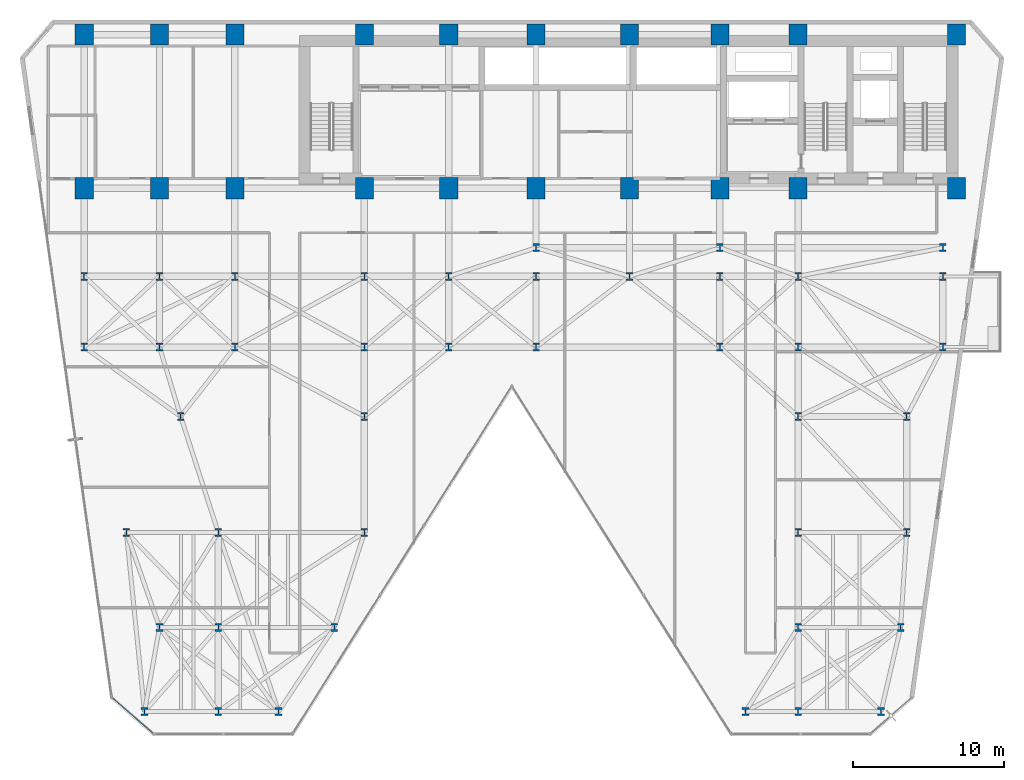
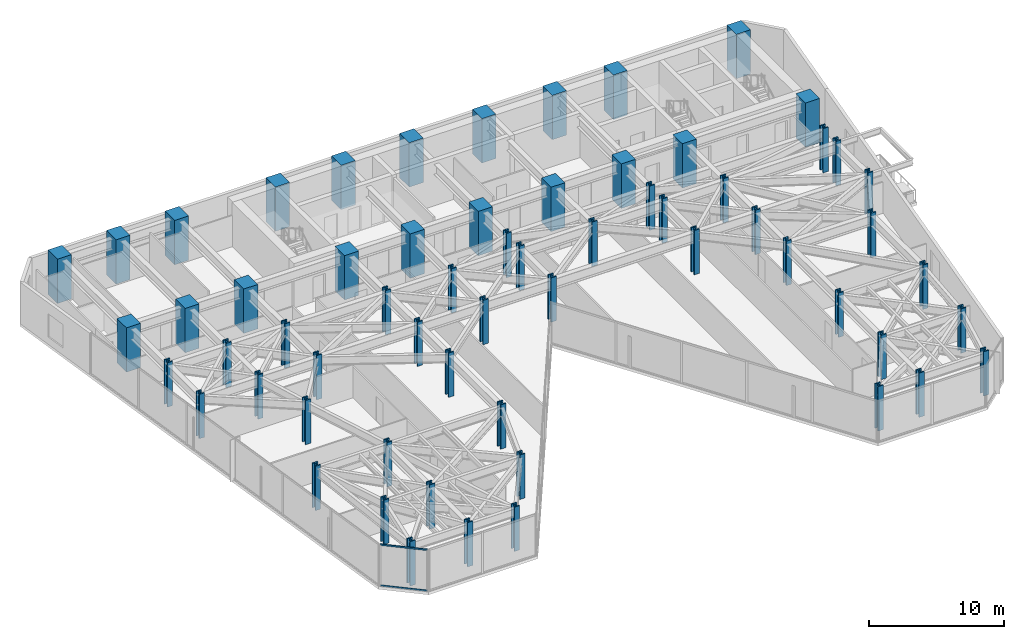
# One storey, part 1 of 25: 62 columns, 2 members, 1 element without a shape of its own.
"""IFC4 building model written with IfcOpenShell, lengths in metres."""

from ifc_helpers import new_model, si_unit, direction, frame, origin, origin_2d, place, context, subcontext, project, spatial, rectangle, hollow_rectangle, i_section, extrude, material, layer, layer_set, material_profile, profile_set, type_object, element, aggregate, save


model = new_model("IFC4")

# Units and contexts
model_context = context("Model", 3, precision=1e-05, world=origin(), true_north=direction((0.0, 1.0)))
body_context = subcontext(model_context, "Body", "Model", "MODEL_VIEW")
ifc_project = project(units=[si_unit("LENGTHUNIT", "METRE"), si_unit("AREAUNIT", "SQUARE_METRE"), si_unit("VOLUMEUNIT", "CUBIC_METRE"), si_unit("PLANEANGLEUNIT", "RADIAN"), si_unit("MASSUNIT", "GRAM", prefix="KILO")], contexts=[model_context])

# Site, building, storey
site_placement = place(None, origin())
site = spatial("IfcSite", under=ifc_project, at=site_placement, CompositionType="ELEMENT")
building_placement = place(site_placement, origin())
building = spatial("IfcBuilding", under=site, at=building_placement, Name="Kravanh Interchange Tower", CompositionType="ELEMENT")
storey_placement = place(building_placement, frame((0.0, 0.0, 57.5)))
storey = spatial("IfcBuildingStorey", under=building, at=storey_placement, Name="L13", CompositionType="ELEMENT", Elevation=57.5)

# Columns
ifc_material_1 = material(Name="Concrete C80/95", Category="concrete")
ifc_material_profile_1 = material_profile(ifc_material_1, rectangle(XDim=1.199951171875, YDim=1.39990234375, at=origin_2d()), Name="RC1200X1400")
ifc_profile_set_1 = profile_set([ifc_material_profile_1], Name="Concrete C80/95")
column_type_1 = type_object("IfcColumnType", Name="Column RC1200X1400 Concrete C80/95", PredefinedType="COLUMN", material=ifc_profile_set_1)
for number, where, z_axis, x_axis, name in (
    (1, (66.5, 47.550048828125, 0.0), (0.0, 0.0, 1.0), (1.0, 0.0, 0.0), "L13 Column CS01"),
    (2, (56.0, 47.550048828125, 0.0), (0.0, 0.0, 1.0), (1.0, 0.0, 0.0), "L13 Column CS02"),
    (3, (66.5, 37.35009765625, 0.0), (0.0, 0.0, 1.0), (1.0, 0.0, 0.0), "L13 Column CS03"),
    (4, (56.0, 37.35009765625, 0.0), (0.0, 0.0, 1.0), (1.0, 0.0, 0.0), "L13 Column CS04"),
    (5, (50.800048828125, 47.550048828125, 0.0), (0.0, 0.0, 1.0), (1.0, 0.0, 0.0), "L13 Column CS05"),
    (6, (50.800048828125, 37.35009765625, 0.0), (0.0, 0.0, 1.0), (1.0, 0.0, 0.0), "L13 Column CS06"),
    (7, (44.800048828125, 37.35009765625, 0.0), (0.0, 0.0, 1.0), (1.0, 0.0, 0.0), "L13 Column CS07"),
    (8, (44.800048828125, 47.550048828125, 0.0), (0.0, 0.0, 1.0), (1.0, 0.0, 0.0), "L13 Column CS08"),
    (9, (38.60009765625, 37.35009765625, 0.0), (0.0, 0.0, 1.0), (1.0, 0.0, 0.0), "L13 Column CS09"),
    (10, (38.60009765625, 47.550048828125, 0.0), (0.0, 0.0, 1.0), (1.0, 0.0, 0.0), "L13 Column CS10"),
    (11, (32.800048828125, 37.35009765625, 0.0), (0.0, 0.0, 1.0), (1.0, 0.0, 0.0), "L13 Column CS11"),
    (12, (32.800048828125, 47.550048828125, 0.0), (0.0, 0.0, 1.0), (1.0, 0.0, 0.0), "L13 Column CS12"),
    (13, (27.199951171875, 37.35009765625, 0.0), (0.0, 0.0, 1.0), (1.0, 0.0, 0.0), "L13 Column CS13"),
    (14, (27.199951171875, 47.550048828125, 0.0), (0.0, 0.0, 1.0), (1.0, 0.0, 0.0), "L13 Column CS14"),
    (15, (18.60009765625, 37.35009765625, 0.0), (0.0, 0.0, 1.0), (1.0, 0.0, 0.0), "L13 Column CS17"),
    (16, (18.60009765625, 47.550048828125, 0.0), (0.0, 0.0, 1.0), (1.0, 0.0, 0.0), "L13 Column CS18"),
    (17, (13.60009765625, 37.35009765625, 0.0), (0.0, 0.0, 1.0), (1.0, 0.0, 0.0), "L13 Column CS19"),
    (18, (13.60009765625, 47.550048828125, 0.0), (0.0, 0.0, 1.0), (1.0, 0.0, 0.0), "L13 Column CS20"),
    (19, (8.60009765625, 37.35009765625, 0.0), (0.0, 0.0, 1.0), (1.0, 0.0, 0.0), "L13 Column CS21"),
    (20, (8.60009765625, 47.550048828125, 0.0), (0.0, 0.0, 1.0), (1.0, 0.0, 0.0), "L13 Column CS22"),
):
    element("IfcColumn", number, at=place(storey_placement, frame(where, z_axis=z_axis, x_axis=x_axis)), inside=storey, type_object=column_type_1, Name=name, PredefinedType="COLUMN", context=body_context, shape_type="SweptSolid", body=[
        extrude(rectangle(XDim=1.199951171875, YDim=1.39990234375, at=origin_2d()), origin(), (0.0, 0.0, 1.0), 4.0),
    ])
ifc_material_2 = material(Name="Structural Steel S450", Category="steel")
ifc_material_profile_2 = material_profile(ifc_material_2, i_section(OverallWidth=0.44189453125, OverallDepth=0.531005859375, WebThickness=0.06591796875, FlangeThickness=0.105712890625, FilletRadius=0.030029296875, at=origin_2d()), Name="W14X605")
ifc_profile_set_2 = profile_set([ifc_material_profile_2], Name="Structural Steel S450")
column_type_2 = type_object("IfcColumnType", Name="Column W14X605 Structural Steel S450", PredefinedType="COLUMN", material=ifc_profile_set_2)
for number, where, z_axis, x_axis, name in (
    (21, (12.60009765625, 2.60009765625, 0.0), (0.0, 0.0, 1.0), (1.0, 0.0, 0.0), "L13 Column CZ1_1"),
    (22, (56.0, 14.5, 0.0), (0.0, 0.0, 1.0), (1.0, 0.0, 0.0), "L13 Column CZ1_10"),
    (23, (63.199951171875, 14.5, 0.0), (0.0, 0.0, 1.0), (1.0, 0.0, 0.0), "L13 Column CZ1_11"),
    (24, (15.0, 22.199951171875, 0.0), (0.0, 0.0, 1.0), (1.0, 0.0, 0.0), "L13 Column CZ1_11B"),
    (25, (27.199951171875, 22.199951171875, 0.0), (0.0, 0.0, 1.0), (1.0, 0.0, 0.0), "L13 Column CZ1_11C"),
    (26, (56.0, 22.199951171875, 0.0), (0.0, 0.0, 1.0), (1.0, 0.0, 0.0), "L13 Column CZ1_11D"),
    (27, (63.199951171875, 22.199951171875, 0.0), (0.0, 0.0, 1.0), (1.0, 0.0, 0.0), "L13 Column CZ1_11E"),
    (28, (8.60009765625, 26.800048828125, 0.0), (0.0, 0.0, 1.0), (1.0, 0.0, 0.0), "L13 Column CZ1_12"),
    (29, (13.60009765625, 26.800048828125, 0.0), (0.0, 0.0, 1.0), (1.0, 0.0, 0.0), "L13 Column CZ1_13"),
    (30, (18.60009765625, 26.800048828125, 0.0), (0.0, 0.0, 1.0), (1.0, 0.0, 0.0), "L13 Column CZ1_14"),
    (31, (27.199951171875, 26.800048828125, 0.0), (0.0, 0.0, 1.0), (1.0, 0.0, 0.0), "L13 Column CZ1_15"),
    (32, (32.800048828125, 26.800048828125, 0.0), (0.0, 0.0, 1.0), (1.0, 0.0, 0.0), "L13 Column CZ1_16"),
    (33, (38.60009765625, 26.800048828125, 0.0), (0.0, 0.0, 1.0), (1.0, 0.0, 0.0), "L13 Column CZ1_16B"),
    (34, (50.800048828125, 26.800048828125, 0.0), (0.0, 0.0, 1.0), (1.0, 0.0, 0.0), "L13 Column CZ1_17"),
    (35, (56.0, 26.800048828125, 0.0), (0.0, 0.0, 1.0), (1.0, 0.0, 0.0), "L13 Column CZ1_18"),
    (36, (65.60009765625, 26.800048828125, 0.0), (0.0, 0.0, 1.0), (1.0, 0.0, 0.0), "L13 Column CZ1_19"),
    (37, (8.60009765625, 31.5, 0.0), (0.0, 0.0, 1.0), (1.0, 0.0, 0.0), "L13 Column CZ1_19B"),
    (38, (13.60009765625, 31.5, 0.0), (0.0, 0.0, 1.0), (1.0, 0.0, 0.0), "L13 Column CZ1_19C"),
    (39, (17.5, 2.60009765625, 0.0), (0.0, 0.0, 1.0), (1.0, 0.0, 0.0), "L13 Column CZ1_2"),
    (40, (18.60009765625, 31.5, 0.0), (0.0, 0.0, 1.0), (1.0, 0.0, 0.0), "L13 Column CZ1_20"),
    (41, (27.199951171875, 31.5, 0.0), (0.0, 0.0, 1.0), (1.0, 0.0, 0.0), "L13 Column CZ1_21"),
    (42, (32.800048828125, 31.5, 0.0), (0.0, 0.0, 1.0), (1.0, 0.0, 0.0), "L13 Column CZ1_22"),
    (43, (38.60009765625, 31.5, 0.0), (0.0, 0.0, 1.0), (1.0, 0.0, 0.0), "L13 Column CZ1_23"),
    (44, (44.800048828125, 31.5, 0.0), (0.0, 0.0, 1.0), (1.0, 0.0, 0.0), "L13 Column CZ1_24"),
    (45, (50.800048828125, 31.5, 0.0), (0.0, 0.0, 1.0), (1.0, 0.0, 0.0), "L13 Column CZ1_25"),
    (46, (56.0, 31.5, 0.0), (0.0, 0.0, 1.0), (1.0, 0.0, 0.0), "L13 Column CZ1_26"),
    (47, (65.60009765625, 31.5, 0.0), (0.0, 0.0, 1.0), (1.0, 0.0, 0.0), "L13 Column CZ1_27"),
    (48, (21.5, 2.60009765625, 0.0), (0.0, 0.0, 1.0), (1.0, 0.0, 0.0), "L13 Column CZ1_3"),
    (49, (52.5, 2.60009765625, 0.0), (0.0, 0.0, 1.0), (1.0, 0.0, 0.0), "L13 Column CZ1_4"),
    (50, (56.0, 2.60009765625, 0.0), (0.0, 0.0, 1.0), (1.0, 0.0, 0.0), "L13 Column CZ1_5"),
    (51, (61.5, 2.60009765625, 0.0), (0.0, 0.0, 1.0), (1.0, 0.0, 0.0), "L13 Column CZ1_5B"),
    (52, (13.60009765625, 8.199951171875, 0.0), (0.0, 0.0, 1.0), (1.0, 0.0, 0.0), "L13 Column CZ1_6"),
    (53, (17.5, 8.199951171875, 0.0), (0.0, 0.0, 1.0), (1.0, 0.0, 0.0), "L13 Column CZ1_6B"),
    (54, (25.199951171875, 8.199951171875, 0.0), (0.0, 0.0, 1.0), (1.0, 0.0, 0.0), "L13 Column CZ1_6C"),
    (55, (56.0, 8.199951171875, 0.0), (0.0, 0.0, 1.0), (1.0, 0.0, 0.0), "L13 Column CZ1_6D"),
    (56, (62.800048828125, 8.199951171875, 0.0), (0.0, 0.0, 1.0), (1.0, 0.0, 0.0), "L13 Column CZ1_6E"),
    (57, (11.39990234375, 14.5, 0.0), (0.0, 0.0, 1.0), (1.0, 0.0, 0.0), "L13 Column CZ1_7"),
    (58, (17.5, 14.5, 0.0), (0.0, 0.0, 1.0), (1.0, 0.0, 0.0), "L13 Column CZ1_7B"),
    (59, (27.199951171875, 14.5, 0.0), (0.0, 0.0, 1.0), (1.0, 0.0, 0.0), "L13 Column CZ1_8"),
    (60, (38.60009765625, 33.39990234375, 0.0), (0.0, 0.0, 1.0), (1.0, 0.0, 0.0), "L13 Column CZ1_M1"),
    (61, (50.800048828125, 33.39990234375, 0.0), (0.0, 0.0, 1.0), (1.0, 0.0, 0.0), "L13 Column CZ1_M2"),
    (62, (65.60009765625, 33.39990234375, 0.0), (0.0, 0.0, 1.0), (1.0, 0.0, 0.0), "L13 Column CZ1_M3"),
):
    element("IfcColumn", number, at=place(storey_placement, frame(where, z_axis=z_axis, x_axis=x_axis)), inside=storey, type_object=column_type_2, Name=name, PredefinedType="COLUMN", context=body_context, shape_type="SweptSolid", body=[
        extrude(i_section(OverallWidth=0.44189453125, OverallDepth=0.531005859375, WebThickness=0.06591796875, FlangeThickness=0.105712890625, FilletRadius=0.030029296875, at=origin_2d()), origin(), (0.0, 0.0, 1.0), 4.0),
    ])

# Curtain wall, members
ifc_material_3 = material(Name="Anodised Bronze Aluminium", Category="aluminium")
ifc_layer = layer(ifc_material_3, 0.179931640625)
ifc_layer_set = layer_set([ifc_layer], Name="Unitised Curtain Wall System CW-Z1 Lower Office")
curtain_wall_type = type_object("IfcCurtainWallType", Name="Unitised Curtain Wall System CW-Z1 Lower Office", PredefinedType="NOTDEFINED", material=ifc_layer_set)
curtain_wall_placement = place(storey_placement, origin())
curtain_wall = element("IfcCurtainWall", 63, at=curtain_wall_placement, inside=storey, type_object=curtain_wall_type, Name="L13 Unitised Curtain Wall CW-L13-07", PredefinedType="NOTDEFINED")
ifc_material_4 = material(Name="Anodised Bronze Aluminium", Category="aluminium")
ifc_material_profile_3 = material_profile(ifc_material_4, hollow_rectangle(XDim=0.06005859375, YDim=0.139892578125, WallThickness=0.00390625, at=origin_2d()), Name="ALU60X140X4")
ifc_profile_set_3 = profile_set([ifc_material_profile_3], Name="Anodised Bronze Aluminium")
member_type = type_object("IfcMemberType", Name="Curtain Wall Transom ALU60X140X4 Bronze", PredefinedType="USERDEFINED", material=ifc_profile_set_3)
member_1_placement = place(storey_placement, frame((13.167724609375, 1.166015625, 0.030029296875), z_axis=(-0.754710815466, 0.656057608004, 0.0), x_axis=(-0.656057608004, -0.754710815466, 0.0)))
member_1 = element("IfcMember", 64, at=member_1_placement, type_object=member_type, Name="CW-Z1 transom 1.1", ObjectType="TRANSOM", PredefinedType="USERDEFINED", context=body_context, shape_type="SweptSolid", body=[
    extrude(hollow_rectangle(XDim=0.06005859375, YDim=0.139892578125, WallThickness=0.00390625, at=origin_2d()), origin(), (0.0, 0.0, 1.0), 3.543701171875),
])
member_2_placement = place(storey_placement, frame((13.167724609375, 1.166015625, 3.7099609375), z_axis=(-0.754710815466, 0.656057608004, 0.0), x_axis=(-0.656057608004, -0.754710815466, 0.0)))
member_2 = element("IfcMember", 65, at=member_2_placement, type_object=member_type, Name="CW-Z1 transom 1.2", ObjectType="TRANSOM", PredefinedType="USERDEFINED", context=body_context, shape_type="SweptSolid", body=[
    extrude(hollow_rectangle(XDim=0.06005859375, YDim=0.139892578125, WallThickness=0.00390625, at=origin_2d()), origin(), (0.0, 0.0, 1.0), 3.543701171875),
])
aggregate(curtain_wall, [member_1, member_2])

save(model, "model.ifc")
